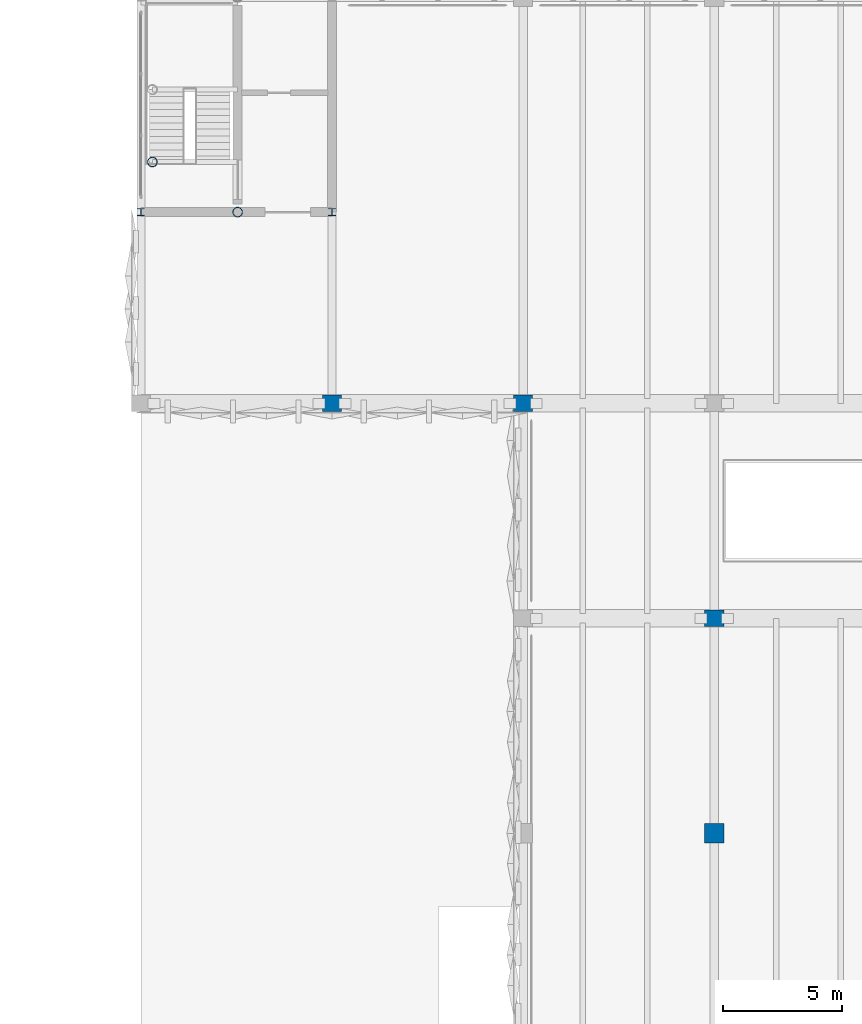
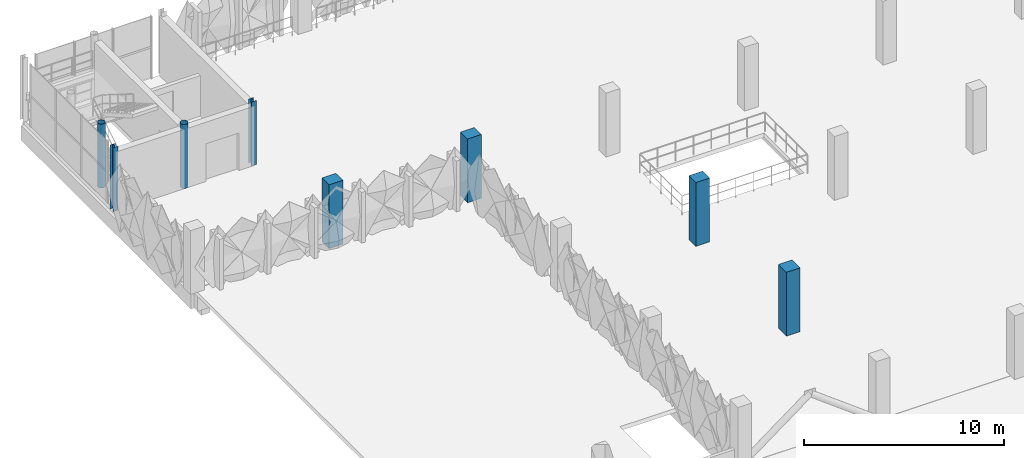
# One storey, part 2 of 96: 8 columns.
"""IFC4 building model written with IfcOpenShell, lengths in metres."""

from ifc_helpers import new_model, si_unit, derived_unit, direction, frame, origin, origin_2d, place, context, subcontext, project, spatial, rectangle, hollow_circle, i_section, extrude, material, material_profile, profile_set, type_object, element, save


model = new_model("IFC4")

# Units and contexts
model_context = context("Model", 3, precision=1e-05, world=origin(), true_north=direction((0.0, 1.0)))
body_context = subcontext(model_context, "Body", "Model", "MODEL_VIEW")
ifc_project = project(units=[si_unit("LENGTHUNIT", "METRE"), si_unit("AREAUNIT", "SQUARE_METRE"), si_unit("VOLUMEUNIT", "CUBIC_METRE"), si_unit("PLANEANGLEUNIT", "RADIAN"), si_unit("MASSUNIT", "GRAM", prefix="KILO"), si_unit("THERMODYNAMICTEMPERATUREUNIT", "KELVIN"), derived_unit("THERMALTRANSMITTANCEUNIT", [(si_unit("POWERUNIT", "WATT"), 1), (si_unit("AREAUNIT", "SQUARE_METRE"), -1), (si_unit("THERMODYNAMICTEMPERATUREUNIT", "KELVIN"), -1)])], contexts=[model_context])

# Site, building, storey
site_placement = place(None, origin())
site = spatial("IfcSite", under=ifc_project, at=site_placement, CompositionType="ELEMENT")
building_placement = place(site_placement, origin())
building = spatial("IfcBuilding", under=site, at=building_placement, Name="Haiyu Intermodal Mobility Hub", CompositionType="ELEMENT")
storey_placement = place(building_placement, frame((0.0, 0.0, 9.5)))
storey = spatial("IfcBuildingStorey", under=building, at=storey_placement, Name="L02", CompositionType="ELEMENT", Elevation=9.5)

# Columns
ifc_material_1 = material(Name="Precast concrete C40", Category="concrete")
ifc_material_profile_1 = material_profile(ifc_material_1, rectangle(XDim=0.800048828125, YDim=0.800048828125, at=origin_2d()), Name="RC800x800")
ifc_profile_set_1 = profile_set([ifc_material_profile_1], Name="Precast concrete C40")
column_type_1 = type_object("IfcColumnType", Name="COL-CC02", PredefinedType="COLUMN", material=ifc_profile_set_1)
column_1_placement = place(storey_placement, frame((46.0, 113.0, 0.0), z_axis=(0.0, 0.0, 1.0), x_axis=(1.0, 0.0, 0.0)))
element("IfcColumn", 1, at=column_1_placement, inside=storey, type_object=column_type_1, Name="Column V3S-5N L02", PredefinedType="COLUMN", context=body_context, shape_type="SweptSolid", body=[
    extrude(rectangle(XDim=0.800048828125, YDim=0.800048828125, at=origin_2d()), origin(), (0.0, 0.0, 1.0), 3.89990234375),
])
ifc_material_profile_2 = material_profile(ifc_material_1, rectangle(XDim=0.800048828125, YDim=0.699951171875, at=origin_2d()), Name="C800x700")
ifc_profile_set_2 = profile_set([ifc_material_profile_2], Name="Precast concrete C40")
column_type_2 = type_object("IfcColumnType", Name="COL-CC20", PredefinedType="COLUMN", material=ifc_profile_set_2)
for number, where, z_axis, x_axis, name in (
    (2, (30.0, 131.0, 0.0), (0.0, 0.0, 1.0), (1.0, 0.0, 0.0), "Column V4-3Q L02"),
    (3, (38.0, 131.0, 0.0), (0.0, 0.0, 1.0), (1.0, 0.0, 0.0), "Column V4-4Q L02"),
    (4, (46.0, 122.0, 0.0), (0.0, 0.0, 1.0), (1.0, 0.0, 0.0), "Column V4-5P L02"),
):
    element("IfcColumn", number, at=place(storey_placement, frame(where, z_axis=z_axis, x_axis=x_axis)), inside=storey, type_object=column_type_2, Name=name, PredefinedType="COLUMN", context=body_context, shape_type="SweptSolid", body=[
        extrude(rectangle(XDim=0.800048828125, YDim=0.699951171875, at=origin_2d()), origin(), (0.0, 0.0, 1.0), 3.89990234375),
    ])
ifc_material_2 = material(Name="Steel Q355C", Category="steel")
ifc_material_profile_3 = material_profile(ifc_material_2, hollow_circle(Radius=0.202880859375, WallThickness=0.013916015625, at=origin_2d()), Name="CHS406x14")
ifc_profile_set_3 = profile_set([ifc_material_profile_3], Name="Steel Q355C")
column_type_3 = type_object("IfcColumnType", Name="COL-SC03", PredefinedType="COLUMN", material=ifc_profile_set_3)
for number, where, z_axis, x_axis, name in (
    (5, (26.050048828125, 139.0, 0.0), (0.0, 0.0, 1.0), (1.0, 0.0, 0.0), "Column C3-MS L02"),
    (6, (22.47998046875, 141.10009765625, 0.0), (0.0, 0.0, 1.0), (1.0, 0.0, 0.0), "Column C3-WTP L02"),
):
    element("IfcColumn", number, at=place(storey_placement, frame(where, z_axis=z_axis, x_axis=x_axis)), inside=storey, type_object=column_type_3, Name=name, PredefinedType="COLUMN", context=body_context, shape_type="SweptSolid", body=[
        extrude(hollow_circle(Radius=0.202880859375, WallThickness=0.013916015625, at=origin_2d()), origin(), (0.0, 0.0, 1.0), 3.89990234375),
    ])
ifc_material_profile_4 = material_profile(ifc_material_2, i_section(OverallWidth=0.300048828125, OverallDepth=0.300048828125, WebThickness=0.010009765625, FlangeThickness=0.014892578125, FilletRadius=0.01806640625, at=origin_2d()), Name="HW300x300x10x15")
ifc_profile_set_4 = profile_set([ifc_material_profile_4], Name="Steel Q355C")
column_type_4 = type_object("IfcColumnType", Name="COL-SC07", PredefinedType="COLUMN", material=ifc_profile_set_4)
column_2_placement = place(storey_placement, frame((30.0, 139.0, 0.0), z_axis=(0.0, 0.0, 1.0), x_axis=(1.0, 0.0, 0.0)))
element("IfcColumn", 7, at=column_2_placement, inside=storey, type_object=column_type_4, Name="Column C3-SE L02", PredefinedType="COLUMN", context=body_context, shape_type="SweptSolid", body=[
    extrude(i_section(OverallWidth=0.300048828125, OverallDepth=0.300048828125, WebThickness=0.010009765625, FlangeThickness=0.014892578125, FilletRadius=0.01806640625, at=origin_2d()), origin(), (0.0, 0.0, 1.0), 3.89990234375),
])
ifc_material_profile_5 = material_profile(ifc_material_2, i_section(OverallWidth=0.300048828125, OverallDepth=0.300048828125, WebThickness=0.010009765625, FlangeThickness=0.014892578125, FilletRadius=0.01806640625, at=origin_2d()), Name="HW300x300x10x15")
ifc_profile_set_5 = profile_set([ifc_material_profile_5], Name="Steel Q355C")
column_type_5 = type_object("IfcColumnType", Name="COL-SC07-EXT", PredefinedType="COLUMN", material=ifc_profile_set_5)
column_3_placement = place(storey_placement, frame((22.0, 139.0, 0.0), z_axis=(0.0, 0.0, 1.0), x_axis=(1.0, 0.0, 0.0)))
element("IfcColumn", 8, at=column_3_placement, inside=storey, type_object=column_type_5, Name="Column C3-SW L02", PredefinedType="COLUMN", context=body_context, shape_type="SweptSolid", body=[
    extrude(i_section(OverallWidth=0.300048828125, OverallDepth=0.300048828125, WebThickness=0.010009765625, FlangeThickness=0.014892578125, FilletRadius=0.01806640625, at=origin_2d()), origin(), (0.0, 0.0, 1.0), 3.89990234375),
])

save(model, "model.ifc")
